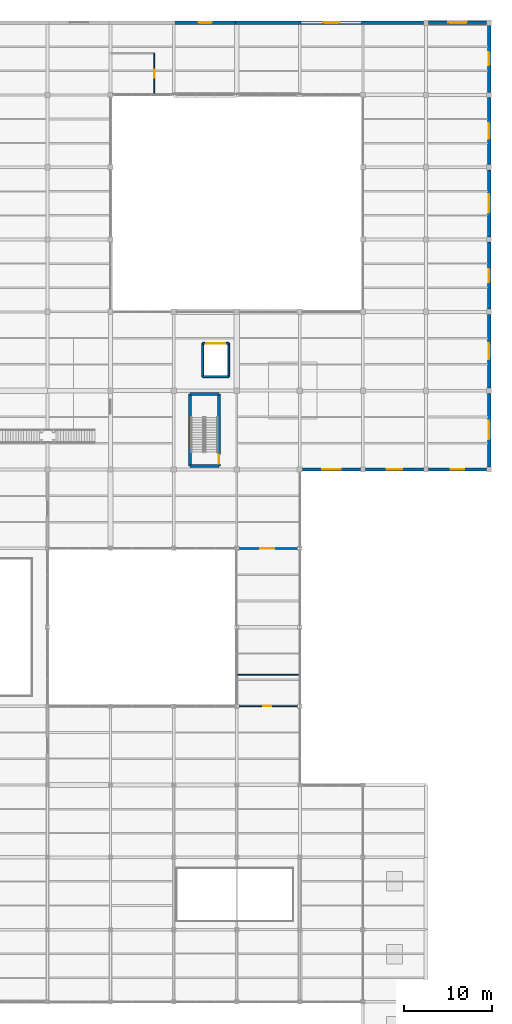
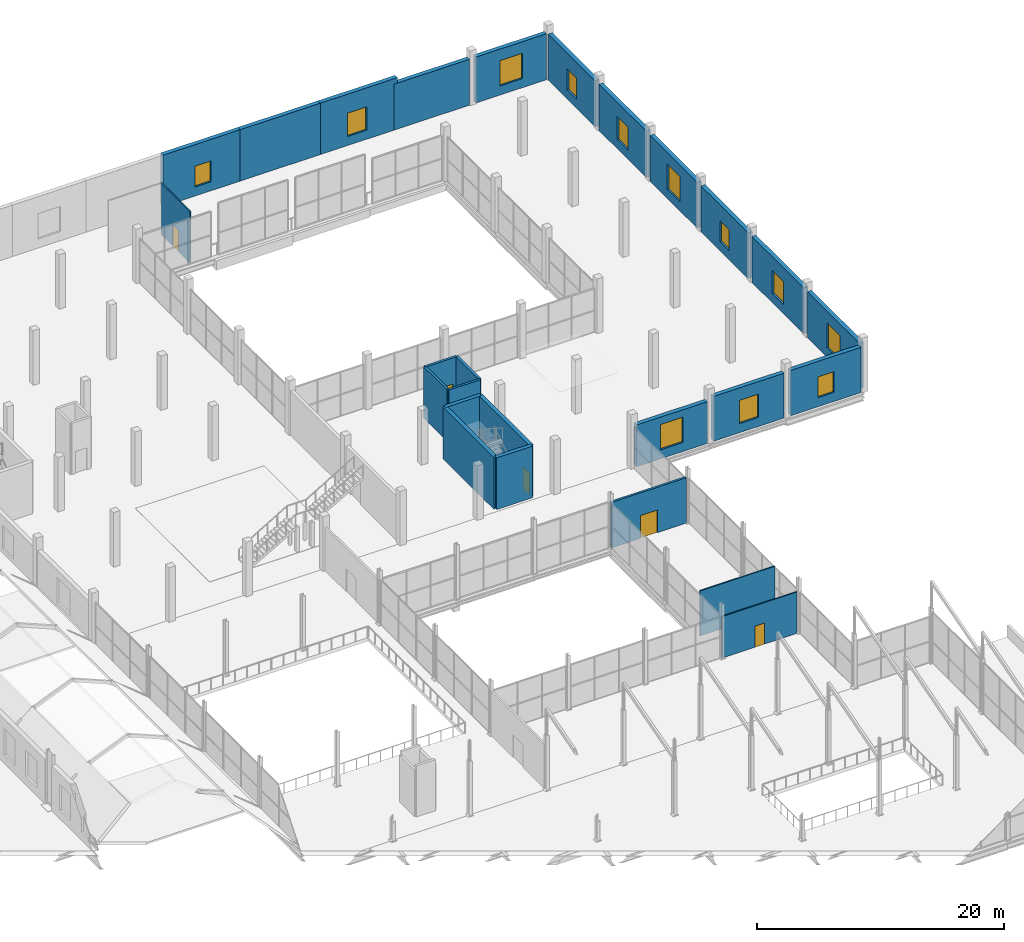
# One storey, part 124 of 141: 26 walls, 12 windows, 5 doors, 17 openings.
"""IFC4 building model written with IfcOpenShell, lengths in metres."""

from ifc_helpers import new_model, si_unit, direction, frame, frame_2d, origin, place, context, subcontext, project, spatial, rectangle, extrude, material, layer, layer_set, type_object, element, fill, save


model = new_model("IFC4")

# Units and contexts
model_context = context("Model", 3, precision=1e-05, world=origin(), true_north=direction((0.0, 1.0)))
body_context = subcontext(model_context, "Body", "Model", "MODEL_VIEW")
ifc_project = project(units=[si_unit("LENGTHUNIT", "METRE"), si_unit("AREAUNIT", "SQUARE_METRE"), si_unit("VOLUMEUNIT", "CUBIC_METRE"), si_unit("PLANEANGLEUNIT", "RADIAN"), si_unit("MASSUNIT", "GRAM", prefix="KILO")], contexts=[model_context])

# Site, building, storey
site_placement = place(None, origin())
site = spatial("IfcSite", under=ifc_project, at=site_placement, CompositionType="ELEMENT")
building_placement = place(site_placement, origin())
building = spatial("IfcBuilding", under=site, at=building_placement, Name="Sundgate Opera House", CompositionType="ELEMENT")
storey_placement = place(building_placement, frame((0.0, 0.0, 11.39990234375)))
storey = spatial("IfcBuildingStorey", under=building, at=storey_placement, Name="L02", CompositionType="ELEMENT", Elevation=11.39990234375)

# Walls
ifc_material_1 = material(Name="Concrete C40/50", Category="concrete")
ifc_layer_1 = layer(ifc_material_1, 0.35009765625)
ifc_layer_set_1 = layer_set([ifc_layer_1], Name="Concrete C40/50")
wall_type_1 = type_object("IfcWallType", Name="WL-CORE-350", PredefinedType="SHEAR", material=ifc_layer_set_1)
for number, where, z_axis, x_axis, name in (
    (1, (133.260009765625, 69.409912109375, 0.0), (0.0, 0.0, 1.0), (1.0, 0.0, 0.0), "L02 C6 South Shaft Wall"),
    (2, (133.260009765625, 77.639892578125, 0.0), (0.0, 0.0, 1.0), (1.0, 0.0, 0.0), "L02 C6 North Shaft Wall"),
):
    element("IfcWall", number, at=place(storey_placement, frame(where, z_axis=z_axis, x_axis=x_axis)), inside=storey, type_object=wall_type_1, Name=name, PredefinedType="SHEAR", context=body_context, shape_type="SweptSolid", body=[
        extrude(rectangle(XDim=3.330078125, YDim=0.35009765625, at=frame_2d((1.6650390625, 0.0))), origin(), (0.0, 0.0, 1.0), 5.1201171875),
    ])
wall_1_placement = place(storey_placement, frame((133.260009765625, 69.409912109375, 0.0), z_axis=(0.0, 0.0, 1.0), x_axis=(0.0, 1.0, 0.0)))
element("IfcWall", 3, at=wall_1_placement, inside=storey, type_object=wall_type_1, Name="L02 C6 West Shaft Wall", PredefinedType="SHEAR", context=body_context, shape_type="SweptSolid", body=[
    extrude(rectangle(XDim=8.22998046875, YDim=0.35009765625, at=frame_2d((4.114990234375, 0.0))), origin(), (0.0, 0.0, 1.0), 5.1201171875),
])

# Wall, opening, door
wall_2_placement = place(storey_placement, frame((136.590087890625, 69.409912109375, 0.0), z_axis=(0.0, 0.0, 1.0), x_axis=(0.0, 1.0, 0.0)))
wall_2 = element("IfcWall", 4, at=wall_2_placement, inside=storey, type_object=wall_type_1, Name="L02 C6 East Shaft Wall", PredefinedType="SHEAR", context=body_context, shape_type="SweptSolid", body=[
    extrude(rectangle(XDim=8.22998046875, YDim=0.35009765625, at=frame_2d((4.114990234375, 0.0))), origin(), (0.0, 0.0, 1.0), 5.1201171875),
])
opening_1_placement = place(wall_2_placement, frame((0.239990234375, 0.0, 0.0)))
opening_1 = element("IfcOpeningElement", 5, at=opening_1_placement, cuts=wall_2, Name="Opening DI01", PredefinedType="OPENING", context=body_context, shape_type="SweptSolid", body=[
    extrude(rectangle(XDim=1.050048828125, YDim=2.179931640625, at=frame_2d((0.52490234375, 1.08984375))), frame((0.0, 0.18505859375, 0.0), z_axis=(0.0, -1.0, 0.0), x_axis=(1.0, 0.0, 0.0)), (0.0, 0.0, 1.0), 0.3701171875),
])
ifc_material_2 = material(Name="Acoustic hardwood timber and steel core", Category="steel")
door_type_1 = type_object("IfcDoorType", Name="DR-STAIR-1050x2180", OperationType="NOTDEFINED", PredefinedType="DOOR", material=ifc_material_2)
door_1_placement = place(opening_1_placement, origin())
door_1 = element("IfcDoor", 6, at=door_1_placement, inside=storey, type_object=door_type_1, Name="L02 C6 Stair Door D0081", OperationType="SINGLE_SWING_LEFT", OverallHeight=2.179931640625, OverallWidth=1.050048828125, PredefinedType="DOOR", context=body_context, shape_type="SweptSolid", body=[
    extrude(rectangle(XDim=1.050048828125, YDim=2.179931640625, at=frame_2d((0.52490234375, 1.08984375))), frame((0.0, 0.02490234375, 0.0), z_axis=(0.0, -1.0, 0.0), x_axis=(1.0, 0.0, 0.0)), (0.0, 0.0, 1.0), 0.050048828125),
])
fill(opening_1, door_1)

# Wall, opening, window
ifc_material_3 = material(Name="Scanian red-brown facing brick masonry", Category="masonry")
ifc_layer_2 = layer(ifc_material_3, 0.389892578125)
ifc_layer_set_2 = layer_set([ifc_layer_2], Name="Scanian red-brown facing brick masonry")
wall_type_2 = type_object("IfcWallType", Name="WL-EXT-BRICK-390", PredefinedType="SOLIDWALL", material=ifc_layer_set_2)
wall_3_placement = place(storey_placement, frame((131.239990234375, 120.0, 0.0), z_axis=(0.0, 0.0, 1.0), x_axis=(1.0, 0.0, 0.0)))
wall_3 = element("IfcWall", 7, at=wall_3_placement, inside=storey, type_object=wall_type_2, Name="L02 Conservatory North Brick Wall W0229", PredefinedType="SOLIDWALL", context=body_context, shape_type="SweptSolid", body=[
    extrude(rectangle(XDim=7.52001953125, YDim=0.389892578125, at=frame_2d((3.760009765625, 0.0))), origin(), (0.0, 0.0, 1.0), 5.085205078125),
])
opening_2_placement = place(wall_3_placement, frame((3.010009765625, 0.0, 0.89990234375)))
opening_2 = element("IfcOpeningElement", 8, at=opening_2_placement, cuts=wall_3, Name="Opening W06", PredefinedType="OPENING", context=body_context, shape_type="SweptSolid", body=[
    extrude(rectangle(XDim=1.5, YDim=2.050048828125, at=frame_2d((0.75, 1.02490234375))), frame((0.0, 0.204833984375, 0.0), z_axis=(0.0, -1.0, 0.0), x_axis=(1.0, 0.0, 0.0)), (0.0, 0.0, 1.0), 0.409912109375),
])
ifc_material_4 = material(Name="Low-iron triple glazing in patinated bronze frame", Category="glass")
window_type_1 = type_object("IfcWindowType", Name="WN-CONS-1500x2050", PartitioningType="SINGLE_PANEL", PredefinedType="WINDOW", material=ifc_material_4)
window_1_placement = place(opening_2_placement, origin())
window_1 = element("IfcWindow", 9, at=window_1_placement, inside=storey, type_object=window_type_1, Name="L02 Conservatory Window WN0179", OverallHeight=2.050048828125, OverallWidth=1.5, PartitioningType="SINGLE_PANEL", PredefinedType="WINDOW", context=body_context, shape_type="SweptSolid", body=[
    extrude(rectangle(XDim=1.5, YDim=2.050048828125, at=frame_2d((0.75, 1.02490234375))), frame((0.0, 0.030029296875, 0.0), z_axis=(0.0, -1.0, 0.0), x_axis=(1.0, 0.0, 0.0)), (0.0, 0.0, 1.0), 0.06005859375),
])
fill(opening_2, window_1)

# Wall
wall_4_placement = place(storey_placement, frame((138.43994140625, 120.0, 0.0), z_axis=(0.0, 0.0, 1.0), x_axis=(1.0, 0.0, 0.0)))
element("IfcWall", 10, at=wall_4_placement, inside=storey, type_object=wall_type_2, Name="L02 Conservatory North Brick Wall W0230", PredefinedType="SOLIDWALL", context=body_context, shape_type="SweptSolid", body=[
    extrude(rectangle(XDim=7.52001953125, YDim=0.389892578125, at=frame_2d((3.760009765625, 0.0))), origin(), (0.0, 0.0, 1.0), 5.085205078125),
])

# Wall, opening, window
wall_5_placement = place(storey_placement, frame((145.639892578125, 120.0, 0.0), z_axis=(0.0, 0.0, 1.0), x_axis=(1.0, 0.0, 0.0)))
wall_5 = element("IfcWall", 11, at=wall_5_placement, inside=storey, type_object=wall_type_2, Name="L02 Conservatory North Brick Wall W0231", PredefinedType="SOLIDWALL", context=body_context, shape_type="SweptSolid", body=[
    extrude(rectangle(XDim=7.52001953125, YDim=0.389892578125, at=frame_2d((3.760009765625, 0.0))), origin(), (0.0, 0.0, 1.0), 5.085205078125),
])
opening_3_placement = place(wall_5_placement, frame((2.860107421875, 0.0, 0.89990234375)))
opening_3 = element("IfcOpeningElement", 12, at=opening_3_placement, cuts=wall_5, Name="Opening W05", PredefinedType="OPENING", context=body_context, shape_type="SweptSolid", body=[
    extrude(rectangle(XDim=1.800048828125, YDim=2.300048828125, at=frame_2d((0.89990234375, 1.14990234375))), frame((0.0, 0.204833984375, 0.0), z_axis=(0.0, -1.0, 0.0), x_axis=(1.0, 0.0, 0.0)), (0.0, 0.0, 1.0), 0.409912109375),
])
ifc_material_5 = material(Name="Low-iron triple glazing in patinated bronze frame", Category="glass")
window_type_2 = type_object("IfcWindowType", Name="WN-CONS-1800x2300", PartitioningType="SINGLE_PANEL", PredefinedType="WINDOW", material=ifc_material_5)
window_2_placement = place(opening_3_placement, origin())
window_2 = element("IfcWindow", 13, at=window_2_placement, inside=storey, type_object=window_type_2, Name="L02 Conservatory Window WN0180", OverallHeight=2.300048828125, OverallWidth=1.800048828125, PartitioningType="SINGLE_PANEL", PredefinedType="WINDOW", context=body_context, shape_type="SweptSolid", body=[
    extrude(rectangle(XDim=1.800048828125, YDim=2.300048828125, at=frame_2d((0.89990234375, 1.14990234375))), frame((0.0, 0.030029296875, 0.0), z_axis=(0.0, -1.0, 0.0), x_axis=(1.0, 0.0, 0.0)), (0.0, 0.0, 1.0), 0.06005859375),
])
fill(opening_3, window_2)

# Wall
wall_6_placement = place(storey_placement, frame((152.840087890625, 120.0, 0.0), z_axis=(0.0, 0.0, 1.0), x_axis=(1.0, 0.0, 0.0)))
element("IfcWall", 14, at=wall_6_placement, inside=storey, type_object=wall_type_2, Name="L02 Conservatory North Brick Wall W0232", PredefinedType="SOLIDWALL", context=body_context, shape_type="SweptSolid", body=[
    extrude(rectangle(XDim=7.06494140625, YDim=0.389892578125, at=frame_2d((3.532470703125, 0.0))), origin(), (0.0, 0.0, 1.0), 4.545166015625),
])

# Wall, opening, window
wall_7_placement = place(storey_placement, frame((160.4951171875, 120.0, 0.0), z_axis=(0.0, 0.0, 1.0), x_axis=(1.0, 0.0, 0.0)))
wall_7 = element("IfcWall", 15, at=wall_7_placement, inside=storey, type_object=wall_type_2, Name="L02 Conservatory North Brick Wall W0233", PredefinedType="SOLIDWALL", context=body_context, shape_type="SweptSolid", body=[
    extrude(rectangle(XDim=6.60986328125, YDim=0.389892578125, at=frame_2d((3.304931640625, 0.0))), origin(), (0.0, 0.0, 1.0), 4.545166015625),
])
opening_4_placement = place(wall_7_placement, frame((2.2548828125, 0.0, 0.89990234375)))
opening_4 = element("IfcOpeningElement", 16, at=opening_4_placement, cuts=wall_7, Name="Opening W04", PredefinedType="OPENING", context=body_context, shape_type="SweptSolid", body=[
    extrude(rectangle(XDim=2.10009765625, YDim=2.5, at=frame_2d((1.050048828125, 1.25))), frame((0.0, 0.204833984375, 0.0), z_axis=(0.0, -1.0, 0.0), x_axis=(1.0, 0.0, 0.0)), (0.0, 0.0, 1.0), 0.409912109375),
])
ifc_material_6 = material(Name="Low-iron triple glazing in patinated bronze frame", Category="glass")
window_type_3 = type_object("IfcWindowType", Name="WN-CONS-2100x2500", PartitioningType="SINGLE_PANEL", PredefinedType="WINDOW", material=ifc_material_6)
window_3_placement = place(opening_4_placement, origin())
window_3 = element("IfcWindow", 17, at=window_3_placement, inside=storey, type_object=window_type_3, Name="L02 Conservatory Window WN0181", OverallHeight=2.5, OverallWidth=2.10009765625, PartitioningType="SINGLE_PANEL", PredefinedType="WINDOW", context=body_context, shape_type="SweptSolid", body=[
    extrude(rectangle(XDim=2.10009765625, YDim=2.5, at=frame_2d((1.050048828125, 1.25))), frame((0.0, 0.030029296875, 0.0), z_axis=(0.0, -1.0, 0.0), x_axis=(1.0, 0.0, 0.0)), (0.0, 0.0, 1.0), 0.06005859375),
])
fill(opening_4, window_3)

wall_8_placement = place(storey_placement, frame((167.39990234375, 77.705078125, 0.0), z_axis=(0.0, 0.0, 1.0), x_axis=(0.0, -1.0, 0.0)))
wall_8 = element("IfcWall", 18, at=wall_8_placement, inside=storey, type_object=wall_type_2, Name="L02 Conservatory East Brick Wall W0234", PredefinedType="SOLIDWALL", context=body_context, shape_type="SweptSolid", body=[
    extrude(rectangle(XDim=8.41015625, YDim=0.389892578125, at=frame_2d((4.205078125, 0.0))), origin(), (0.0, 0.0, 1.0), 4.545166015625),
])
opening_5_placement = place(wall_8_placement, frame((3.155029296875, 0.0, 0.89990234375)))
opening_5 = element("IfcOpeningElement", 19, at=opening_5_placement, cuts=wall_8, Name="Opening W04", PredefinedType="OPENING", context=body_context, shape_type="SweptSolid", body=[
    extrude(rectangle(XDim=2.10009765625, YDim=2.5, at=frame_2d((1.050048828125, 1.25))), frame((0.0, 0.204833984375, 0.0), z_axis=(0.0, -1.0, 0.0), x_axis=(1.0, 0.0, 0.0)), (0.0, 0.0, 1.0), 0.409912109375),
])
window_4_placement = place(opening_5_placement, origin())
window_4 = element("IfcWindow", 20, at=window_4_placement, inside=storey, type_object=window_type_3, Name="L02 Conservatory Window WN0182", OverallHeight=2.5, OverallWidth=2.10009765625, PartitioningType="SINGLE_PANEL", PredefinedType="WINDOW", context=body_context, shape_type="SweptSolid", body=[
    extrude(rectangle(XDim=2.10009765625, YDim=2.5, at=frame_2d((1.050048828125, 1.25))), frame((0.0, 0.030029296875, 0.0), z_axis=(0.0, -1.0, 0.0), x_axis=(1.0, 0.0, 0.0)), (0.0, 0.0, 1.0), 0.06005859375),
])
fill(opening_5, window_4)

wall_9_placement = place(storey_placement, frame((167.39990234375, 86.705078125, 0.0), z_axis=(0.0, 0.0, 1.0), x_axis=(0.0, -1.0, 0.0)))
wall_9 = element("IfcWall", 21, at=wall_9_placement, inside=storey, type_object=wall_type_2, Name="L02 Conservatory East Brick Wall W0235", PredefinedType="SOLIDWALL", context=body_context, shape_type="SweptSolid", body=[
    extrude(rectangle(XDim=8.41015625, YDim=0.389892578125, at=frame_2d((4.205078125, 0.0))), origin(), (0.0, 0.0, 1.0), 4.545166015625),
])
opening_6_placement = place(wall_9_placement, frame((3.304931640625, 0.0, 0.89990234375)))
opening_6 = element("IfcOpeningElement", 22, at=opening_6_placement, cuts=wall_9, Name="Opening W05", PredefinedType="OPENING", context=body_context, shape_type="SweptSolid", body=[
    extrude(rectangle(XDim=1.800048828125, YDim=2.300048828125, at=frame_2d((0.89990234375, 1.14990234375))), frame((0.0, 0.204833984375, 0.0), z_axis=(0.0, -1.0, 0.0), x_axis=(1.0, 0.0, 0.0)), (0.0, 0.0, 1.0), 0.409912109375),
])
window_5_placement = place(opening_6_placement, origin())
window_5 = element("IfcWindow", 23, at=window_5_placement, inside=storey, type_object=window_type_2, Name="L02 Conservatory Window WN0183", OverallHeight=2.300048828125, OverallWidth=1.800048828125, PartitioningType="SINGLE_PANEL", PredefinedType="WINDOW", context=body_context, shape_type="SweptSolid", body=[
    extrude(rectangle(XDim=1.800048828125, YDim=2.300048828125, at=frame_2d((0.89990234375, 1.14990234375))), frame((0.0, 0.030029296875, 0.0), z_axis=(0.0, -1.0, 0.0), x_axis=(1.0, 0.0, 0.0)), (0.0, 0.0, 1.0), 0.06005859375),
])
fill(opening_6, window_5)

wall_10_placement = place(storey_placement, frame((167.39990234375, 94.955078125, 0.0), z_axis=(0.0, 0.0, 1.0), x_axis=(0.0, -1.0, 0.0)))
wall_10 = element("IfcWall", 24, at=wall_10_placement, inside=storey, type_object=wall_type_2, Name="L02 Conservatory East Brick Wall W0236", PredefinedType="SOLIDWALL", context=body_context, shape_type="SweptSolid", body=[
    extrude(rectangle(XDim=7.66015625, YDim=0.389892578125, at=frame_2d((3.830078125, 0.0))), origin(), (0.0, 0.0, 1.0), 4.53515625),
])
opening_7_placement = place(wall_10_placement, frame((3.080078125, 0.0, 0.89990234375)))
opening_7 = element("IfcOpeningElement", 25, at=opening_7_placement, cuts=wall_10, Name="Opening W06", PredefinedType="OPENING", context=body_context, shape_type="SweptSolid", body=[
    extrude(rectangle(XDim=1.5, YDim=2.050048828125, at=frame_2d((0.75, 1.02490234375))), frame((0.0, 0.204833984375, 0.0), z_axis=(0.0, -1.0, 0.0), x_axis=(1.0, 0.0, 0.0)), (0.0, 0.0, 1.0), 0.409912109375),
])
window_6_placement = place(opening_7_placement, origin())
window_6 = element("IfcWindow", 26, at=window_6_placement, inside=storey, type_object=window_type_1, Name="L02 Conservatory Window WN0184", OverallHeight=2.050048828125, OverallWidth=1.5, PartitioningType="SINGLE_PANEL", PredefinedType="WINDOW", context=body_context, shape_type="SweptSolid", body=[
    extrude(rectangle(XDim=1.5, YDim=2.050048828125, at=frame_2d((0.75, 1.02490234375))), frame((0.0, 0.030029296875, 0.0), z_axis=(0.0, -1.0, 0.0), x_axis=(1.0, 0.0, 0.0)), (0.0, 0.0, 1.0), 0.06005859375),
])
fill(opening_7, window_6)

wall_11_placement = place(storey_placement, frame((167.39990234375, 103.205078125, 0.0), z_axis=(0.0, 0.0, 1.0), x_axis=(0.0, -1.0, 0.0)))
wall_11 = element("IfcWall", 27, at=wall_11_placement, inside=storey, type_object=wall_type_2, Name="L02 Conservatory East Brick Wall W0237", PredefinedType="SOLIDWALL", context=body_context, shape_type="SweptSolid", body=[
    extrude(rectangle(XDim=7.66015625, YDim=0.389892578125, at=frame_2d((3.830078125, 0.0))), origin(), (0.0, 0.0, 1.0), 4.53515625),
])
opening_8_placement = place(wall_11_placement, frame((2.780029296875, 0.0, 0.89990234375)))
opening_8 = element("IfcOpeningElement", 28, at=opening_8_placement, cuts=wall_11, Name="Opening W04", PredefinedType="OPENING", context=body_context, shape_type="SweptSolid", body=[
    extrude(rectangle(XDim=2.10009765625, YDim=2.5, at=frame_2d((1.050048828125, 1.25))), frame((0.0, 0.204833984375, 0.0), z_axis=(0.0, -1.0, 0.0), x_axis=(1.0, 0.0, 0.0)), (0.0, 0.0, 1.0), 0.409912109375),
])
window_7_placement = place(opening_8_placement, origin())
window_7 = element("IfcWindow", 29, at=window_7_placement, inside=storey, type_object=window_type_3, Name="L02 Conservatory Window WN0185", OverallHeight=2.5, OverallWidth=2.10009765625, PartitioningType="SINGLE_PANEL", PredefinedType="WINDOW", context=body_context, shape_type="SweptSolid", body=[
    extrude(rectangle(XDim=2.10009765625, YDim=2.5, at=frame_2d((1.050048828125, 1.25))), frame((0.0, 0.030029296875, 0.0), z_axis=(0.0, -1.0, 0.0), x_axis=(1.0, 0.0, 0.0)), (0.0, 0.0, 1.0), 0.06005859375),
])
fill(opening_8, window_7)

wall_12_placement = place(storey_placement, frame((167.39990234375, 111.455078125, 0.0), z_axis=(0.0, 0.0, 1.0), x_axis=(0.0, -1.0, 0.0)))
wall_12 = element("IfcWall", 30, at=wall_12_placement, inside=storey, type_object=wall_type_2, Name="L02 Conservatory East Brick Wall W0238", PredefinedType="SOLIDWALL", context=body_context, shape_type="SweptSolid", body=[
    extrude(rectangle(XDim=7.66015625, YDim=0.389892578125, at=frame_2d((3.830078125, 0.0))), origin(), (0.0, 0.0, 1.0), 4.585205078125),
])
opening_9_placement = place(wall_12_placement, frame((2.929931640625, 0.0, 0.89990234375)))
opening_9 = element("IfcOpeningElement", 31, at=opening_9_placement, cuts=wall_12, Name="Opening W05", PredefinedType="OPENING", context=body_context, shape_type="SweptSolid", body=[
    extrude(rectangle(XDim=1.800048828125, YDim=2.300048828125, at=frame_2d((0.89990234375, 1.14990234375))), frame((0.0, 0.204833984375, 0.0), z_axis=(0.0, -1.0, 0.0), x_axis=(1.0, 0.0, 0.0)), (0.0, 0.0, 1.0), 0.409912109375),
])
window_8_placement = place(opening_9_placement, origin())
window_8 = element("IfcWindow", 32, at=window_8_placement, inside=storey, type_object=window_type_2, Name="L02 Conservatory Window WN0186", OverallHeight=2.300048828125, OverallWidth=1.800048828125, PartitioningType="SINGLE_PANEL", PredefinedType="WINDOW", context=body_context, shape_type="SweptSolid", body=[
    extrude(rectangle(XDim=1.800048828125, YDim=2.300048828125, at=frame_2d((0.89990234375, 1.14990234375))), frame((0.0, 0.030029296875, 0.0), z_axis=(0.0, -1.0, 0.0), x_axis=(1.0, 0.0, 0.0)), (0.0, 0.0, 1.0), 0.06005859375),
])
fill(opening_9, window_8)

wall_13_placement = place(storey_placement, frame((167.39990234375, 119.705078125, 0.0), z_axis=(0.0, 0.0, 1.0), x_axis=(0.0, -1.0, 0.0)))
wall_13 = element("IfcWall", 33, at=wall_13_placement, inside=storey, type_object=wall_type_2, Name="L02 Conservatory East Brick Wall W0239", PredefinedType="SOLIDWALL", context=body_context, shape_type="SweptSolid", body=[
    extrude(rectangle(XDim=7.66015625, YDim=0.389892578125, at=frame_2d((3.830078125, 0.0))), origin(), (0.0, 0.0, 1.0), 4.545166015625),
])
opening_10_placement = place(wall_13_placement, frame((3.080078125, 0.0, 0.89990234375)))
opening_10 = element("IfcOpeningElement", 34, at=opening_10_placement, cuts=wall_13, Name="Opening W06", PredefinedType="OPENING", context=body_context, shape_type="SweptSolid", body=[
    extrude(rectangle(XDim=1.5, YDim=2.050048828125, at=frame_2d((0.75, 1.02490234375))), frame((0.0, 0.204833984375, 0.0), z_axis=(0.0, -1.0, 0.0), x_axis=(1.0, 0.0, 0.0)), (0.0, 0.0, 1.0), 0.409912109375),
])
window_9_placement = place(opening_10_placement, origin())
window_9 = element("IfcWindow", 35, at=window_9_placement, inside=storey, type_object=window_type_1, Name="L02 Conservatory Window WN0187", OverallHeight=2.050048828125, OverallWidth=1.5, PartitioningType="SINGLE_PANEL", PredefinedType="WINDOW", context=body_context, shape_type="SweptSolid", body=[
    extrude(rectangle(XDim=1.5, YDim=2.050048828125, at=frame_2d((0.75, 1.02490234375))), frame((0.0, 0.030029296875, 0.0), z_axis=(0.0, -1.0, 0.0), x_axis=(1.0, 0.0, 0.0)), (0.0, 0.0, 1.0), 0.06005859375),
])
fill(opening_10, window_9)

wall_14_placement = place(storey_placement, frame((152.705078125, 69.0, 0.0), z_axis=(0.0, 0.0, 1.0), x_axis=(-1.0, 0.0, 0.0)))
wall_14 = element("IfcWall", 36, at=wall_14_placement, inside=storey, type_object=wall_type_2, Name="L02 Conservatory South Brick Wall W0246", PredefinedType="SOLIDWALL", context=body_context, shape_type="SweptSolid", body=[
    extrude(rectangle(XDim=6.610107421875, YDim=0.389892578125, at=frame_2d((3.30517578125, 0.0))), origin(), (0.0, 0.0, 1.0), 4.135009765625),
])
opening_11_placement = place(wall_14_placement, frame((2.2548828125, 0.0, 0.89990234375)))
opening_11 = element("IfcOpeningElement", 37, at=opening_11_placement, cuts=wall_14, Name="Opening W04", PredefinedType="OPENING", context=body_context, shape_type="SweptSolid", body=[
    extrude(rectangle(XDim=2.10009765625, YDim=2.5, at=frame_2d((1.050048828125, 1.25))), frame((0.0, 0.204833984375, 0.0), z_axis=(0.0, -1.0, 0.0), x_axis=(1.0, 0.0, 0.0)), (0.0, 0.0, 1.0), 0.409912109375),
])
window_10_placement = place(opening_11_placement, origin())
window_10 = element("IfcWindow", 38, at=window_10_placement, inside=storey, type_object=window_type_3, Name="L02 Conservatory Window WN0194", OverallHeight=2.5, OverallWidth=2.10009765625, PartitioningType="SINGLE_PANEL", PredefinedType="WINDOW", context=body_context, shape_type="SweptSolid", body=[
    extrude(rectangle(XDim=2.10009765625, YDim=2.5, at=frame_2d((1.050048828125, 1.25))), frame((0.0, 0.030029296875, 0.0), z_axis=(0.0, -1.0, 0.0), x_axis=(1.0, 0.0, 0.0)), (0.0, 0.0, 1.0), 0.06005859375),
])
fill(opening_11, window_10)

wall_15_placement = place(storey_placement, frame((159.905029296875, 69.0, 0.0), z_axis=(0.0, 0.0, 1.0), x_axis=(-1.0, 0.0, 0.0)))
wall_15 = element("IfcWall", 39, at=wall_15_placement, inside=storey, type_object=wall_type_2, Name="L02 Conservatory South Brick Wall W0247", PredefinedType="SOLIDWALL", context=body_context, shape_type="SweptSolid", body=[
    extrude(rectangle(XDim=6.610107421875, YDim=0.389892578125, at=frame_2d((3.30517578125, 0.0))), origin(), (0.0, 0.0, 1.0), 4.43505859375),
])
opening_12_placement = place(wall_15_placement, frame((2.405029296875, 0.0, 0.89990234375)))
opening_12 = element("IfcOpeningElement", 40, at=opening_12_placement, cuts=wall_15, Name="Opening W05", PredefinedType="OPENING", context=body_context, shape_type="SweptSolid", body=[
    extrude(rectangle(XDim=1.800048828125, YDim=2.300048828125, at=frame_2d((0.89990234375, 1.14990234375))), frame((0.0, 0.204833984375, 0.0), z_axis=(0.0, -1.0, 0.0), x_axis=(1.0, 0.0, 0.0)), (0.0, 0.0, 1.0), 0.409912109375),
])
window_11_placement = place(opening_12_placement, origin())
window_11 = element("IfcWindow", 41, at=window_11_placement, inside=storey, type_object=window_type_2, Name="L02 Conservatory Window WN0195", OverallHeight=2.300048828125, OverallWidth=1.800048828125, PartitioningType="SINGLE_PANEL", PredefinedType="WINDOW", context=body_context, shape_type="SweptSolid", body=[
    extrude(rectangle(XDim=1.800048828125, YDim=2.300048828125, at=frame_2d((0.89990234375, 1.14990234375))), frame((0.0, 0.030029296875, 0.0), z_axis=(0.0, -1.0, 0.0), x_axis=(1.0, 0.0, 0.0)), (0.0, 0.0, 1.0), 0.06005859375),
])
fill(opening_12, window_11)

wall_16_placement = place(storey_placement, frame((167.10498046875, 69.0, 0.0), z_axis=(0.0, 0.0, 1.0), x_axis=(-1.0, 0.0, 0.0)))
wall_16 = element("IfcWall", 42, at=wall_16_placement, inside=storey, type_object=wall_type_2, Name="L02 Conservatory South Brick Wall W0248", PredefinedType="SOLIDWALL", context=body_context, shape_type="SweptSolid", body=[
    extrude(rectangle(XDim=6.60986328125, YDim=0.389892578125, at=frame_2d((3.304931640625, 0.0))), origin(), (0.0, 0.0, 1.0), 4.485107421875),
])
opening_13_placement = place(wall_16_placement, frame((2.554931640625, 0.0, 0.89990234375)))
opening_13 = element("IfcOpeningElement", 43, at=opening_13_placement, cuts=wall_16, Name="Opening W06", PredefinedType="OPENING", context=body_context, shape_type="SweptSolid", body=[
    extrude(rectangle(XDim=1.5, YDim=2.050048828125, at=frame_2d((0.75, 1.02490234375))), frame((0.0, 0.204833984375, 0.0), z_axis=(0.0, -1.0, 0.0), x_axis=(1.0, 0.0, 0.0)), (0.0, 0.0, 1.0), 0.409912109375),
])
window_12_placement = place(opening_13_placement, origin())
window_12 = element("IfcWindow", 44, at=window_12_placement, inside=storey, type_object=window_type_1, Name="L02 Conservatory Window WN0196", OverallHeight=2.050048828125, OverallWidth=1.5, PartitioningType="SINGLE_PANEL", PredefinedType="WINDOW", context=body_context, shape_type="SweptSolid", body=[
    extrude(rectangle(XDim=1.5, YDim=2.050048828125, at=frame_2d((0.75, 1.02490234375))), frame((0.0, 0.030029296875, 0.0), z_axis=(0.0, -1.0, 0.0), x_axis=(1.0, 0.0, 0.0)), (0.0, 0.0, 1.0), 0.06005859375),
])
fill(opening_13, window_12)

# Wall, opening, door
ifc_material_7 = material(Name="Fire-rated corridor partition", Category="gypsum")
ifc_layer_3 = layer(ifc_material_7, 0.199951171875)
ifc_layer_set_3 = layer_set([ifc_layer_3], Name="Fire-rated corridor partition")
wall_type_3 = type_object("IfcWallType", Name="WL-INT-FIRE-200", PredefinedType="PARTITIONING", material=ifc_layer_set_3)
wall_17_placement = place(storey_placement, frame((138.60009765625, 60.0, 0.0), z_axis=(0.0, 0.0, 1.0), x_axis=(1.0, 0.0, 0.0)))
wall_17 = element("IfcWall", 45, at=wall_17_placement, inside=storey, type_object=wall_type_3, Name="L02 Interior Partition W1060", PredefinedType="PARTITIONING", context=body_context, shape_type="SweptSolid", body=[
    extrude(rectangle(XDim=7.0, YDim=0.199951171875, at=frame_2d((3.5, 0.0))), origin(), (0.0, 0.0, 1.0), 4.505126953125),
])
opening_14_placement = place(wall_17_placement, frame((2.699951171875, 0.0, 0.0)))
opening_14 = element("IfcOpeningElement", 46, at=opening_14_placement, cuts=wall_17, Name="Opening DI06", PredefinedType="OPENING", context=body_context, shape_type="SweptSolid", body=[
    extrude(rectangle(XDim=1.60009765625, YDim=2.25, at=frame_2d((0.800048828125, 1.125))), frame((0.0, 0.10986328125, 0.0), z_axis=(0.0, -1.0, 0.0), x_axis=(1.0, 0.0, 0.0)), (0.0, 0.0, 1.0), 0.219970703125),
])
ifc_material_8 = material(Name="Acoustic hardwood timber and steel core", Category="steel")
door_type_2 = type_object("IfcDoorType", Name="DR-REH-1600x2250", OperationType="DOUBLE_DOOR_SINGLE_SWING", PredefinedType="DOOR", material=ifc_material_8)
door_2_placement = place(opening_14_placement, origin())
door_2 = element("IfcDoor", 47, at=door_2_placement, inside=storey, type_object=door_type_2, Name="L02 Interior Door D0221", OperationType="DOUBLE_DOOR_SINGLE_SWING", OverallHeight=2.25, OverallWidth=1.60009765625, PredefinedType="DOOR", context=body_context, shape_type="SweptSolid", body=[
    extrude(rectangle(XDim=1.60009765625, YDim=2.25, at=frame_2d((0.800048828125, 1.125))), frame((0.0, 0.02490234375, 0.0), z_axis=(0.0, -1.0, 0.0), x_axis=(1.0, 0.0, 0.0)), (0.0, 0.0, 1.0), 0.050048828125),
])
fill(opening_14, door_2)

# Wall
ifc_material_9 = material(Name="Fire-rated gypsum and mineral-wool shaft partition", Category="gypsum")
ifc_layer_4 = layer(ifc_material_9, 0.219970703125)
ifc_layer_set_4 = layer_set([ifc_layer_4], Name="Fire-rated gypsum and mineral-wool shaft partition")
wall_type_4 = type_object("IfcWallType", Name="WL-INT-FIRE-220", PredefinedType="PARTITIONING", material=ifc_layer_set_4)
wall_18_placement = place(storey_placement, frame((134.7099609375, 79.610107421875, 0.0), z_axis=(0.0, 0.0, 1.0), x_axis=(1.0, 0.0, 0.0)))
element("IfcWall", 48, at=wall_18_placement, inside=storey, type_object=wall_type_4, Name="L02 GL-01 South Shaft Wall", PredefinedType="PARTITIONING", context=body_context, shape_type="SweptSolid", body=[
    extrude(rectangle(XDim=2.97998046875, YDim=0.219970703125, at=frame_2d((1.489990234375, 0.0))), origin(), (0.0, 0.0, 1.0), 5.085205078125),
])

# Wall, opening, door
wall_19_placement = place(storey_placement, frame((134.7099609375, 83.389892578125, 0.0), z_axis=(0.0, 0.0, 1.0), x_axis=(1.0, 0.0, 0.0)))
wall_19 = element("IfcWall", 49, at=wall_19_placement, inside=storey, type_object=wall_type_4, Name="L02 GL-01 North Shaft Wall", PredefinedType="PARTITIONING", context=body_context, shape_type="SweptSolid", body=[
    extrude(rectangle(XDim=2.97998046875, YDim=0.219970703125, at=frame_2d((1.489990234375, 0.0))), origin(), (0.0, 0.0, 1.0), 5.085205078125),
])
opening_15_placement = place(wall_19_placement, frame((0.389892578125, 0.0, 0.0)))
opening_15 = element("IfcOpeningElement", 50, at=opening_15_placement, cuts=wall_19, Name="Opening LD3", PredefinedType="OPENING", context=body_context, shape_type="SweptSolid", body=[
    extrude(rectangle(XDim=2.199951171875, YDim=2.5, at=frame_2d((1.10009765625, 1.25))), frame((0.0, 0.119873046875, 0.0), z_axis=(0.0, -1.0, 0.0), x_axis=(1.0, 0.0, 0.0)), (0.0, 0.0, 1.0), 0.239990234375),
])
ifc_material_10 = material(Name="Brushed stainless steel EN 1.4301", Category="steel")
door_type_3 = type_object("IfcDoorType", Name="DR-LIFT-2200x2500", OperationType="DOUBLE_DOOR_SLIDING", PredefinedType="DOOR", material=ifc_material_10)
door_3_placement = place(opening_15_placement, origin())
door_3 = element("IfcDoor", 51, at=door_3_placement, inside=storey, type_object=door_type_3, Name="L02 GL-01 Landing Door D0147", OperationType="DOUBLE_DOOR_SLIDING", OverallHeight=2.5, OverallWidth=2.199951171875, PredefinedType="DOOR", context=body_context, shape_type="SweptSolid", body=[
    extrude(rectangle(XDim=2.199951171875, YDim=2.5, at=frame_2d((1.10009765625, 1.25))), frame((0.0, 0.02490234375, 0.0), z_axis=(0.0, -1.0, 0.0), x_axis=(1.0, 0.0, 0.0)), (0.0, 0.0, 1.0), 0.050048828125),
])
fill(opening_15, door_3)

# Walls
for number, where, z_axis, x_axis, name in (
    (52, (134.7099609375, 79.610107421875, 0.0), (0.0, 0.0, 1.0), (0.0, 1.0, 0.0), "L02 GL-01 West Shaft Wall"),
    (53, (137.68994140625, 79.610107421875, 0.0), (0.0, 0.0, 1.0), (0.0, 1.0, 0.0), "L02 GL-01 East Shaft Wall"),
):
    element("IfcWall", number, at=place(storey_placement, frame(where, z_axis=z_axis, x_axis=x_axis)), inside=storey, type_object=wall_type_4, Name=name, PredefinedType="PARTITIONING", context=body_context, shape_type="SweptSolid", body=[
        extrude(rectangle(XDim=3.77978515625, YDim=0.219970703125, at=frame_2d((1.889892578125, 0.0))), origin(), (0.0, 0.0, 1.0), 5.085205078125),
    ])

# Wall, opening, door
ifc_material_11 = material(Name="Moisture-resistant sanitary partition", Category="gypsum")
ifc_layer_5 = layer(ifc_material_11, 0.114990234375)
ifc_layer_set_5 = layer_set([ifc_layer_5], Name="Moisture-resistant sanitary partition")
wall_type_5 = type_object("IfcWallType", Name="WL-INT-WET-115", PredefinedType="PARTITIONING", material=ifc_layer_set_5)
wall_20_placement = place(storey_placement, frame((138.60009765625, 42.0, 0.0), z_axis=(0.0, 0.0, 1.0), x_axis=(1.0, 0.0, 0.0)))
wall_20 = element("IfcWall", 54, at=wall_20_placement, inside=storey, type_object=wall_type_5, Name="L02 Interior Partition W1058", PredefinedType="PARTITIONING", context=body_context, shape_type="SweptSolid", body=[
    extrude(rectangle(XDim=7.0, YDim=0.114990234375, at=frame_2d((3.5, 0.0))), origin(), (0.0, 0.0, 1.0), 4.10498046875),
])
opening_16_placement = place(wall_20_placement, frame((3.0400390625, 0.0, 0.0)))
opening_16 = element("IfcOpeningElement", 55, at=opening_16_placement, cuts=wall_20, Name="Opening DI12", PredefinedType="OPENING", context=body_context, shape_type="SweptSolid", body=[
    extrude(rectangle(XDim=0.919921875, YDim=2.080078125, at=frame_2d((0.4599609375, 1.0400390625))), frame((0.0, 0.0673828125, 0.0), z_axis=(0.0, -1.0, 0.0), x_axis=(1.0, 0.0, 0.0)), (0.0, 0.0, 1.0), 0.135009765625),
])
ifc_material_12 = material(Name="Acoustic hardwood timber and steel core", Category="steel")
door_type_4 = type_object("IfcDoorType", Name="DR-WC-920x2080", OperationType="NOTDEFINED", PredefinedType="DOOR", material=ifc_material_12)
door_4_placement = place(opening_16_placement, origin())
door_4 = element("IfcDoor", 56, at=door_4_placement, inside=storey, type_object=door_type_4, Name="L02 Interior Door D0220", OperationType="SINGLE_SWING_LEFT", OverallHeight=2.080078125, OverallWidth=0.919921875, PredefinedType="DOOR", context=body_context, shape_type="SweptSolid", body=[
    extrude(rectangle(XDim=0.919921875, YDim=2.080078125, at=frame_2d((0.4599609375, 1.0400390625))), frame((0.0, 0.02490234375, 0.0), z_axis=(0.0, -1.0, 0.0), x_axis=(1.0, 0.0, 0.0)), (0.0, 0.0, 1.0), 0.050048828125),
])
fill(opening_16, door_4)

# Wall
wall_21_placement = place(storey_placement, frame((138.60009765625, 45.60009765625, 0.0), z_axis=(0.0, 0.0, 1.0), x_axis=(1.0, 0.0, 0.0)))
element("IfcWall", 57, at=wall_21_placement, inside=storey, type_object=wall_type_5, Name="L02 Interior Partition W1059", PredefinedType="PARTITIONING", context=body_context, shape_type="SweptSolid", body=[
    extrude(rectangle(XDim=7.0, YDim=0.114990234375, at=frame_2d((3.5, 0.0))), origin(), (0.0, 0.0, 1.0), 4.455078125),
])

# Wall, opening, door
wall_22_placement = place(storey_placement, frame((129.199951171875, 111.800048828125, 0.0), z_axis=(0.0, 0.0, 1.0), x_axis=(0.0, 1.0, 0.0)))
wall_22 = element("IfcWall", 58, at=wall_22_placement, inside=storey, type_object=wall_type_5, Name="L02 Interior Partition W1063", PredefinedType="PARTITIONING", context=body_context, shape_type="SweptSolid", body=[
    extrude(rectangle(XDim=4.699951171875, YDim=0.114990234375, at=frame_2d((2.35009765625, 0.0))), origin(), (0.0, 0.0, 1.0), 5.085205078125),
])
opening_17_placement = place(wall_22_placement, frame((1.889892578125, 0.0, 0.0)))
opening_17 = element("IfcOpeningElement", 59, at=opening_17_placement, cuts=wall_22, Name="Opening DI12", PredefinedType="OPENING", context=body_context, shape_type="SweptSolid", body=[
    extrude(rectangle(XDim=0.919921875, YDim=2.080078125, at=frame_2d((0.4599609375, 1.0400390625))), frame((0.0, 0.0673828125, 0.0), z_axis=(0.0, -1.0, 0.0), x_axis=(1.0, 0.0, 0.0)), (0.0, 0.0, 1.0), 0.135009765625),
])
door_5_placement = place(opening_17_placement, origin())
door_5 = element("IfcDoor", 60, at=door_5_placement, inside=storey, type_object=door_type_4, Name="L02 Interior Door D0223", OperationType="SINGLE_SWING_RIGHT", OverallHeight=2.080078125, OverallWidth=0.919921875, PredefinedType="DOOR", context=body_context, shape_type="SweptSolid", body=[
    extrude(rectangle(XDim=0.919921875, YDim=2.080078125, at=frame_2d((0.4599609375, 1.0400390625))), frame((0.0, 0.02490234375, 0.0), z_axis=(0.0, -1.0, 0.0), x_axis=(1.0, 0.0, 0.0)), (0.0, 0.0, 1.0), 0.050048828125),
])
fill(opening_17, door_5)

save(model, "model.ifc")
